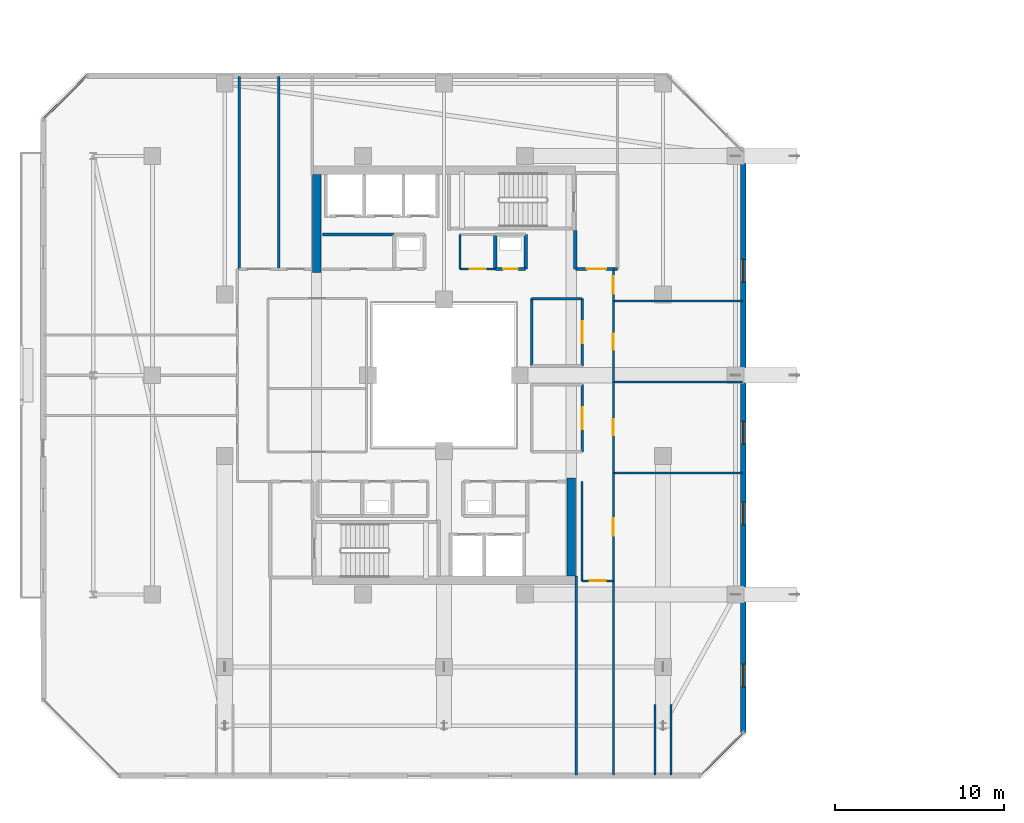
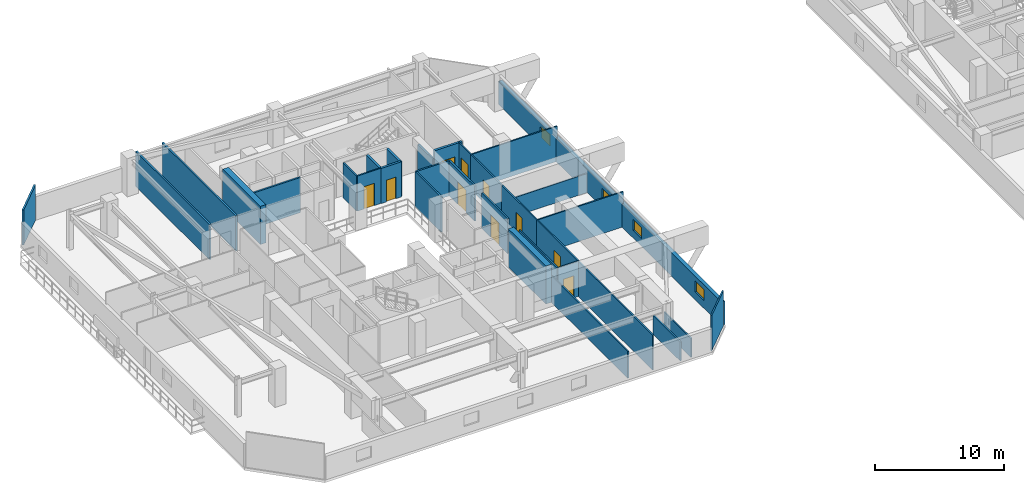
# One storey, part 22 of 34: 32 walls, 10 doors, 4 windows, 14 openings.
"""IFC4 building model written with IfcOpenShell, lengths in metres."""

from ifc_helpers import new_model, si_unit, direction, frame, frame_2d, origin, place, context, subcontext, project, spatial, rectangle, extrude, material, layer, layer_set, type_object, element, fill, save


model = new_model("IFC4")

# Units and contexts
model_context = context("Model", 3, precision=1e-05, world=origin(), true_north=direction((0.0, 1.0)))
body_context = subcontext(model_context, "Body", "Model", "MODEL_VIEW")
ifc_project = project(units=[si_unit("LENGTHUNIT", "METRE"), si_unit("AREAUNIT", "SQUARE_METRE"), si_unit("VOLUMEUNIT", "CUBIC_METRE"), si_unit("PLANEANGLEUNIT", "RADIAN"), si_unit("MASSUNIT", "GRAM", prefix="KILO")], contexts=[model_context])

# Site, building, storey
site_placement = place(None, origin())
site = spatial("IfcSite", under=ifc_project, at=site_placement, CompositionType="ELEMENT")
building_placement = place(site_placement, origin())
building = spatial("IfcBuilding", under=site, at=building_placement, Name="Thornwick Lancets Civic Towers", CompositionType="ELEMENT")
storey_placement = place(building_placement, frame((0.0, 0.0, 251.10009765625)))
storey = spatial("IfcBuildingStorey", under=building, at=storey_placement, Name="L67", CompositionType="ELEMENT", Elevation=251.10009765625)

# Wall, opening, door
ifc_material_1 = material(Name="Concrete blockwork C40/50", Category="masonry")
ifc_layer_1 = layer(ifc_material_1, 0.199951171875, Name="Concrete blockwork C40/50")
ifc_layer_set_1 = layer_set([ifc_layer_1], Name="Concrete blockwork C40/50")
wall_type_1 = type_object("IfcWallType", Name="WALL_COMP_200", PredefinedType="STANDARD", material=ifc_layer_set_1)
wall_1_placement = place(storey_placement, frame((33.300048828125, 33.300048828125, 0.0), z_axis=(0.0, 0.0, 1.0), x_axis=(1.0, 0.0, 0.0)))
wall_1 = element("IfcWall", 1, at=wall_1_placement, inside=storey, type_object=wall_type_1, Name="L67 Partition L67-A-FFLOB2 E1", PredefinedType="STANDARD", context=body_context, shape_type="SweptSolid", body=[
    extrude(rectangle(XDim=2.5, YDim=0.199951171875, at=frame_2d((1.25, 0.0))), origin(), (0.0, 0.0, 1.0), 3.31982421875),
])
opening_1_placement = place(wall_1_placement, frame((0.675048828125, 0.0, 0.0)))
opening_1 = element("IfcOpeningElement", 2, at=opening_1_placement, cuts=wall_1, Name="Opening D-L67-3034", PredefinedType="OPENING", context=body_context, shape_type="SweptSolid", body=[
    extrude(rectangle(XDim=1.14990234375, YDim=2.10009765625, at=frame_2d((0.574951171875, 1.050048828125))), frame((0.0, 0.10986328125, 0.0), z_axis=(0.0, -1.0, 0.0), x_axis=(1.0, 0.0, 0.0)), (0.0, 0.0, 1.0), 0.219970703125),
])
ifc_material_2 = material(Name="Glazed fire-resisting steel", Category="steel")
door_type_1 = type_object("IfcDoorType", Name="DOOR_LOBBY_FD60", OperationType="NOTDEFINED", PredefinedType="DOOR", material=ifc_material_2)
door_1_placement = place(opening_1_placement, origin())
door_1 = element("IfcDoor", 3, at=door_1_placement, inside=storey, type_object=door_type_1, Name="L67 North Firefighting Lobby 2 Door", OperationType="SINGLE_SWING_LEFT", OverallHeight=2.10009765625, OverallWidth=1.14990234375, PredefinedType="DOOR", context=body_context, shape_type="SweptSolid", body=[
    extrude(rectangle(XDim=1.14990234375, YDim=2.10009765625, at=frame_2d((0.574951171875, 1.050048828125))), frame((0.0, 0.02490234375, 0.0), z_axis=(0.0, -1.0, 0.0), x_axis=(1.0, 0.0, 0.0)), (0.0, 0.0, 1.0), 0.050048828125),
])
fill(opening_1, door_1)

# Wall
wall_2_placement = place(storey_placement, frame((33.300048828125, 35.60009765625, 0.0), z_axis=(0.0, 0.0, 1.0), x_axis=(0.0, -1.0, 0.0)))
element("IfcWall", 4, at=wall_2_placement, inside=storey, type_object=wall_type_1, Name="L67 Partition L67-A-FFLOB2 E4", PredefinedType="STANDARD", context=body_context, shape_type="SweptSolid", body=[
    extrude(rectangle(XDim=2.300048828125, YDim=0.199951171875, at=frame_2d((1.14990234375, 0.0))), origin(), (0.0, 0.0, 1.0), 2.52490234375),
])

# Wall, opening, door
wall_3_placement = place(storey_placement, frame((28.550048828125, 33.300048828125, 0.0), z_axis=(0.0, 0.0, 1.0), x_axis=(1.0, 0.0, 0.0)))
wall_3 = element("IfcWall", 5, at=wall_3_placement, inside=storey, type_object=wall_type_1, Name="L67 Partition L67-A-RISER2 E1", PredefinedType="STANDARD", context=body_context, shape_type="SweptSolid", body=[
    extrude(rectangle(XDim=1.800048828125, YDim=0.199951171875, at=frame_2d((0.89990234375, 0.0))), origin(), (0.0, 0.0, 1.0), 3.31982421875),
])
opening_2_placement = place(wall_3_placement, frame((0.4599609375, 0.0, 0.0)))
opening_2 = element("IfcOpeningElement", 6, at=opening_2_placement, cuts=wall_3, Name="Opening D-L67-3038", PredefinedType="OPENING", context=body_context, shape_type="SweptSolid", body=[
    extrude(rectangle(XDim=0.8798828125, YDim=2.0400390625, at=frame_2d((0.43994140625, 1.02001953125))), frame((0.0, 0.10986328125, 0.0), z_axis=(0.0, -1.0, 0.0), x_axis=(1.0, 0.0, 0.0)), (0.0, 0.0, 1.0), 0.219970703125),
])
ifc_material_3 = material(Name="Steel riser access doorset", Category="steel")
door_type_2 = type_object("IfcDoorType", Name="DOOR_RISER_850", OperationType="NOTDEFINED", PredefinedType="DOOR", material=ifc_material_3)
door_2_placement = place(opening_2_placement, origin())
door_2 = element("IfcDoor", 7, at=door_2_placement, inside=storey, type_object=door_type_2, Name="L67 North Service Riser 2 Door", OperationType="SINGLE_SWING_LEFT", OverallHeight=2.0400390625, OverallWidth=0.8798828125, PredefinedType="DOOR", context=body_context, shape_type="SweptSolid", body=[
    extrude(rectangle(XDim=0.8798828125, YDim=2.0400390625, at=frame_2d((0.43994140625, 1.02001953125))), frame((0.0, 0.02490234375, 0.0), z_axis=(0.0, -1.0, 0.0), x_axis=(1.0, 0.0, 0.0)), (0.0, 0.0, 1.0), 0.050048828125),
])
fill(opening_2, door_2)

# Walls
for number, where, z_axis, x_axis, name in (
    (8, (30.35009765625, 33.300048828125, 0.0), (0.0, 0.0, 1.0), (0.0, 1.0, 0.0), "L67 Partition L67-A-RISER2 E2"),
    (9, (28.550048828125, 35.35009765625, 0.0), (0.0, 0.0, 1.0), (0.0, -1.0, 0.0), "L67 Partition L67-A-RISER2 E4"),
):
    element("IfcWall", number, at=place(storey_placement, frame(where, z_axis=z_axis, x_axis=x_axis)), inside=storey, type_object=wall_type_1, Name=name, PredefinedType="STANDARD", context=body_context, shape_type="SweptSolid", body=[
        extrude(rectangle(XDim=2.050048828125, YDim=0.199951171875, at=frame_2d((1.02490234375, 0.0))), origin(), (0.0, 0.0, 1.0), 3.31982421875),
    ])
ifc_material_4 = material(Name="Concrete C50/60", Category="concrete")
ifc_layer_2 = layer(ifc_material_4, 0.5, Name="Concrete C50/60")
ifc_layer_set_2 = layer_set([ifc_layer_2], Name="Concrete C50/60")
wall_type_2 = type_object("IfcWallType", Name="WALL_CORE_500", PredefinedType="SHEAR", material=ifc_layer_set_2)
for number, where, z_axis, x_axis, name in (
    (10, (33.050048828125, 15.10009765625, 0.0), (0.0, 0.0, 1.0), (0.0, 1.0, 0.0), "L67 Split Core A1 Shear Wall E"),
    (11, (17.949951171875, 33.10009765625, 0.0), (0.0, 0.0, 1.0), (0.0, 1.0, 0.0), "L67 Split Core A2 Shear Wall W"),
):
    element("IfcWall", number, at=place(storey_placement, frame(where, z_axis=z_axis, x_axis=x_axis)), inside=storey, type_object=wall_type_2, Name=name, PredefinedType="SHEAR", context=body_context, shape_type="SweptSolid", body=[
        extrude(rectangle(XDim=5.7998046875, YDim=0.5, at=frame_2d((2.89990234375, 0.0))), origin(), (0.0, 0.0, 1.0), 3.599853515625),
    ])

# Wall, openings, windows
ifc_material_5 = material(Name="Insulated buff terracotta rainscreen on concrete C40/50", Category="masonry")
ifc_layer_3 = layer(ifc_material_5, 0.320068359375, Name="Insulated buff terracotta rainscreen on concrete C40/50")
ifc_layer_set_3 = layer_set([ifc_layer_3], Name="Insulated buff terracotta rainscreen on concrete C40/50")
wall_type_3 = type_object("IfcWallType", Name="WALL_EXT_TERRA_320", PredefinedType="STANDARD", material=ifc_layer_set_3)
wall_4_placement = place(storey_placement, frame((43.2646484375, 5.818603515625, 0.0), z_axis=(0.0, 0.0, 1.0), x_axis=(-0.000184351399, 0.999999983007, 0.0)))
wall_4 = element("IfcWall", 12, at=wall_4_placement, inside=storey, type_object=wall_type_3, Name="L67 Tower A Terracotta Facade Wall E2", PredefinedType="STANDARD", context=body_context, shape_type="SweptSolid", body=[
    extrude(rectangle(XDim=34.432373046875, YDim=0.320068359375, at=frame_2d((17.21630859375, 0.0))), origin(), (0.0, 0.0, 1.0), 2.219970703125),
])
opening_3_placement = place(wall_4_placement, frame((2.699951171875, 0.0, 0.719970703125)))
opening_3 = element("IfcOpeningElement", 13, at=opening_3_placement, cuts=wall_4, Name="Opening WL-03", PredefinedType="OPENING", context=body_context, shape_type="SweptSolid", body=[
    extrude(rectangle(XDim=1.35009765625, YDim=1.050048828125, at=frame_2d((0.675048828125, 0.52490234375))), frame((0.0, 0.169921875, 0.0), z_axis=(0.0, -1.0, 0.0), x_axis=(1.0, 0.0, 0.0)), (0.0, 0.0, 1.0), 0.340087890625),
])
opening_4_placement = place(wall_4_placement, frame((12.300048828125, 0.0, 0.719970703125)))
opening_4 = element("IfcOpeningElement", 14, at=opening_4_placement, cuts=wall_4, Name="Opening WL-03", PredefinedType="OPENING", context=body_context, shape_type="SweptSolid", body=[
    extrude(rectangle(XDim=1.35009765625, YDim=1.050048828125, at=frame_2d((0.675048828125, 0.52490234375))), frame((0.0, 0.169921875, 0.0), z_axis=(0.0, -1.0, 0.0), x_axis=(1.0, 0.0, 0.0)), (0.0, 0.0, 1.0), 0.340087890625),
])
opening_5_placement = place(wall_4_placement, frame((17.10009765625, 0.0, 0.719970703125)))
opening_5 = element("IfcOpeningElement", 15, at=opening_5_placement, cuts=wall_4, Name="Opening WL-03", PredefinedType="OPENING", context=body_context, shape_type="SweptSolid", body=[
    extrude(rectangle(XDim=1.35009765625, YDim=1.050048828125, at=frame_2d((0.675048828125, 0.52490234375))), frame((0.0, 0.169921875, 0.0), z_axis=(0.0, -1.0, 0.0), x_axis=(1.0, 0.0, 0.0)), (0.0, 0.0, 1.0), 0.340087890625),
])
opening_6_placement = place(wall_4_placement, frame((26.699951171875, 0.0, 0.719970703125)))
opening_6 = element("IfcOpeningElement", 16, at=opening_6_placement, cuts=wall_4, Name="Opening WL-03", PredefinedType="OPENING", context=body_context, shape_type="SweptSolid", body=[
    extrude(rectangle(XDim=1.35009765625, YDim=1.050048828125, at=frame_2d((0.675048828125, 0.52490234375))), frame((0.0, 0.169921875, 0.0), z_axis=(0.0, -1.0, 0.0), x_axis=(1.0, 0.0, 0.0)), (0.0, 0.0, 1.0), 0.340087890625),
])
ifc_material_6 = material(Name="Clear low-e double glazing clerestory lancet", Category="glass")
window_type = type_object("IfcWindowType", Name="WIN_LANCET_1350", PartitioningType="SINGLE_PANEL", PredefinedType="WINDOW", material=ifc_material_6)
window_1_placement = place(opening_3_placement, origin())
window_1 = element("IfcWindow", 17, at=window_1_placement, inside=storey, type_object=window_type, Name="L67 Tower A Staggered Lancet Window E2-1", OverallHeight=1.050048828125, OverallWidth=1.35009765625, PartitioningType="SINGLE_PANEL", PredefinedType="WINDOW", context=body_context, shape_type="SweptSolid", body=[
    extrude(rectangle(XDim=1.35009765625, YDim=1.050048828125, at=frame_2d((0.675048828125, 0.52490234375))), frame((0.0, 0.030029296875, 0.0), z_axis=(0.0, -1.0, 0.0), x_axis=(1.0, 0.0, 0.0)), (0.0, 0.0, 1.0), 0.06005859375),
])
fill(opening_3, window_1)
window_2_placement = place(opening_4_placement, origin())
window_2 = element("IfcWindow", 18, at=window_2_placement, inside=storey, type_object=window_type, Name="L67 Tower A Staggered Lancet Window E2-2", OverallHeight=1.050048828125, OverallWidth=1.35009765625, PartitioningType="SINGLE_PANEL", PredefinedType="WINDOW", context=body_context, shape_type="SweptSolid", body=[
    extrude(rectangle(XDim=1.35009765625, YDim=1.050048828125, at=frame_2d((0.675048828125, 0.52490234375))), frame((0.0, 0.030029296875, 0.0), z_axis=(0.0, -1.0, 0.0), x_axis=(1.0, 0.0, 0.0)), (0.0, 0.0, 1.0), 0.06005859375),
])
fill(opening_4, window_2)
window_3_placement = place(opening_5_placement, origin())
window_3 = element("IfcWindow", 19, at=window_3_placement, inside=storey, type_object=window_type, Name="L67 Tower A Staggered Lancet Window E2-3", OverallHeight=1.050048828125, OverallWidth=1.35009765625, PartitioningType="SINGLE_PANEL", PredefinedType="WINDOW", context=body_context, shape_type="SweptSolid", body=[
    extrude(rectangle(XDim=1.35009765625, YDim=1.050048828125, at=frame_2d((0.675048828125, 0.52490234375))), frame((0.0, 0.030029296875, 0.0), z_axis=(0.0, -1.0, 0.0), x_axis=(1.0, 0.0, 0.0)), (0.0, 0.0, 1.0), 0.06005859375),
])
fill(opening_5, window_3)
window_4_placement = place(opening_6_placement, origin())
window_4 = element("IfcWindow", 20, at=window_4_placement, inside=storey, type_object=window_type, Name="L67 Tower A Staggered Lancet Window E2-4", OverallHeight=1.050048828125, OverallWidth=1.35009765625, PartitioningType="SINGLE_PANEL", PredefinedType="WINDOW", context=body_context, shape_type="SweptSolid", body=[
    extrude(rectangle(XDim=1.35009765625, YDim=1.050048828125, at=frame_2d((0.675048828125, 0.52490234375))), frame((0.0, 0.030029296875, 0.0), z_axis=(0.0, -1.0, 0.0), x_axis=(1.0, 0.0, 0.0)), (0.0, 0.0, 1.0), 0.06005859375),
])
fill(opening_6, window_4)

# Wall
ifc_material_7 = material(Name="Acoustic gypsum board partition")
ifc_layer_4 = layer(ifc_material_7, 0.1201171875, Name="Acoustic gypsum board partition")
ifc_layer_set_4 = layer_set([ifc_layer_4], Name="Acoustic gypsum board partition")
wall_type_4 = type_object("IfcWallType", Name="WALL_PART_120", PredefinedType="PARTITIONING", material=ifc_layer_set_4)
wall_5_placement = place(storey_placement, frame((26.449951171875, 33.300048828125, 0.0), z_axis=(0.0, 0.0, 1.0), x_axis=(0.0, 1.0, 0.0)))
element("IfcWall", 21, at=wall_5_placement, inside=storey, type_object=wall_type_4, Name="L67 Partition L67-A-ITR E1", PredefinedType="PARTITIONING", context=body_context, shape_type="SweptSolid", body=[
    extrude(rectangle(XDim=2.050048828125, YDim=0.1201171875, at=frame_2d((1.02490234375, 0.0))), origin(), (0.0, 0.0, 1.0), 3.31982421875),
])

# Wall, opening, door
wall_6_placement = place(storey_placement, frame((28.550048828125, 33.300048828125, 0.0), z_axis=(0.0, 0.0, 1.0), x_axis=(-1.0, 0.0, 0.0)))
wall_6 = element("IfcWall", 22, at=wall_6_placement, inside=storey, type_object=wall_type_4, Name="L67 Partition L67-A-ITR E4", PredefinedType="PARTITIONING", context=body_context, shape_type="SweptSolid", body=[
    extrude(rectangle(XDim=2.10009765625, YDim=0.1201171875, at=frame_2d((1.050048828125, 0.0))), origin(), (0.0, 0.0, 1.0), 3.31982421875),
])
opening_7_placement = place(wall_6_placement, frame((0.574951171875, 0.0, 0.0)))
opening_7 = element("IfcOpeningElement", 23, at=opening_7_placement, cuts=wall_6, Name="Opening D-L67-3044", PredefinedType="OPENING", context=body_context, shape_type="SweptSolid", body=[
    extrude(rectangle(XDim=0.949951171875, YDim=2.10009765625, at=frame_2d((0.47509765625, 1.050048828125))), frame((0.0, 0.070068359375, 0.0), z_axis=(0.0, -1.0, 0.0), x_axis=(1.0, 0.0, 0.0)), (0.0, 0.0, 1.0), 0.14013671875),
])
ifc_material_8 = material(Name="European oak acoustic doorset")
door_type_3 = type_object("IfcDoorType", Name="DOOR_OFFICE_950", OperationType="NOTDEFINED", PredefinedType="DOOR", material=ifc_material_8)
door_3_placement = place(opening_7_placement, origin())
door_3 = element("IfcDoor", 24, at=door_3_placement, inside=storey, type_object=door_type_3, Name="L67 Tower A Comms Patch Room Door", OperationType="SINGLE_SWING_LEFT", OverallHeight=2.10009765625, OverallWidth=0.949951171875, PredefinedType="DOOR", context=body_context, shape_type="SweptSolid", body=[
    extrude(rectangle(XDim=0.949951171875, YDim=2.10009765625, at=frame_2d((0.47509765625, 1.050048828125))), frame((0.0, 0.02490234375, 0.0), z_axis=(0.0, -1.0, 0.0), x_axis=(1.0, 0.0, 0.0)), (0.0, 0.0, 1.0), 0.050048828125),
])
fill(opening_7, door_3)

# Wall
wall_7_placement = place(storey_placement, frame((33.699951171875, 20.699951171875, 0.0), z_axis=(0.0, 0.0, 1.0), x_axis=(0.0, -1.0, 0.0)))
element("IfcWall", 25, at=wall_7_placement, inside=storey, type_object=wall_type_4, Name="L67 Partition L67-A-RECLAIM-L E1", PredefinedType="PARTITIONING", context=body_context, shape_type="SweptSolid", body=[
    extrude(rectangle(XDim=5.89990234375, YDim=0.1201171875, at=frame_2d((2.949951171875, 0.0))), origin(), (0.0, 0.0, 1.0), 3.31982421875),
])

# Wall, opening, door
wall_8_placement = place(storey_placement, frame((33.699951171875, 14.800048828125, 0.0), z_axis=(0.0, 0.0, 1.0), x_axis=(1.0, 0.0, 0.0)))
wall_8 = element("IfcWall", 26, at=wall_8_placement, inside=storey, type_object=wall_type_4, Name="L67 Partition L67-A-RECLAIM-L E2", PredefinedType="PARTITIONING", context=body_context, shape_type="SweptSolid", body=[
    extrude(rectangle(XDim=1.85009765625, YDim=0.1201171875, at=frame_2d((0.925048828125, 0.0))), origin(), (0.0, 0.0, 1.0), 3.31982421875),
])
opening_8_placement = place(wall_8_placement, frame((0.449951171875, 0.0, 0.0)))
opening_8 = element("IfcOpeningElement", 27, at=opening_8_placement, cuts=wall_8, Name="Opening D-L67-3057", PredefinedType="OPENING", context=body_context, shape_type="SweptSolid", body=[
    extrude(rectangle(XDim=0.949951171875, YDim=2.10009765625, at=frame_2d((0.47509765625, 1.050048828125))), frame((0.0, 0.070068359375, 0.0), z_axis=(0.0, -1.0, 0.0), x_axis=(1.0, 0.0, 0.0)), (0.0, 0.0, 1.0), 0.14013671875),
])
door_4_placement = place(opening_8_placement, origin())
door_4 = element("IfcDoor", 28, at=door_4_placement, inside=storey, type_object=door_type_3, Name="L67 Tower A Parliamentary Drafting Library Door", OperationType="SINGLE_SWING_RIGHT", OverallHeight=2.10009765625, OverallWidth=0.949951171875, PredefinedType="DOOR", context=body_context, shape_type="SweptSolid", body=[
    extrude(rectangle(XDim=0.949951171875, YDim=2.10009765625, at=frame_2d((0.47509765625, 1.050048828125))), frame((0.0, 0.02490234375, 0.0), z_axis=(0.0, -1.0, 0.0), x_axis=(1.0, 0.0, 0.0)), (0.0, 0.0, 1.0), 0.050048828125),
])
fill(opening_8, door_4)

# Walls
wall_9_placement = place(storey_placement, frame((35.550048828125, 14.800048828125, 0.0), z_axis=(0.0, 0.0, 1.0), x_axis=(0.0, -1.0, 0.0)))
element("IfcWall", 29, at=wall_9_placement, inside=storey, type_object=wall_type_4, Name="L67 Partition L67-A-RECLAIM-L E3", PredefinedType="PARTITIONING", context=body_context, shape_type="SweptSolid", body=[
    extrude(rectangle(XDim=11.52001953125, YDim=0.1201171875, at=frame_2d((5.760009765625, 0.0))), origin(), (0.0, 0.0, 1.0), 3.31982421875),
])
wall_10_placement = place(storey_placement, frame((33.35009765625, 3.280029296875, 0.0), z_axis=(0.0, 0.0, 1.0), x_axis=(0.0, 1.0, 0.0)))
element("IfcWall", 30, at=wall_10_placement, inside=storey, type_object=wall_type_4, Name="L67 Partition L67-A-RECLAIM-L E5", PredefinedType="PARTITIONING", context=body_context, shape_type="SweptSolid", body=[
    extrude(rectangle(XDim=11.820068359375, YDim=0.1201171875, at=frame_2d((5.91015625, 0.0))), origin(), (0.0, 0.0, 1.0), 2.52490234375),
])
for number, where, z_axis, x_axis, name in (
    (31, (38.97998046875, 3.280029296875, 0.0), (0.0, 0.0, 1.0), (0.0, 1.0, 0.0), "L67 Partition L67-A-E1 E2"),
    (32, (38.02001953125, 7.4580078125, 0.0), (0.0, 0.0, 1.0), (0.0, -1.0, 0.0), "L67 Partition L67-A-E1 E4"),
):
    element("IfcWall", number, at=place(storey_placement, frame(where, z_axis=z_axis, x_axis=x_axis)), inside=storey, type_object=wall_type_4, Name=name, PredefinedType="PARTITIONING", context=body_context, shape_type="SweptSolid", body=[
        extrude(rectangle(XDim=4.177978515625, YDim=0.1201171875, at=frame_2d((2.0888671875, 0.0))), origin(), (0.0, 0.0, 1.0), 1.784912109375),
    ])

# Wall, opening, door
wall_11_placement = place(storey_placement, frame((35.550048828125, 14.800048828125, 0.0), z_axis=(0.0, 0.0, 1.0), x_axis=(0.0, 1.0, 0.0)))
wall_11 = element("IfcWall", 33, at=wall_11_placement, inside=storey, type_object=wall_type_4, Name="L67 Partition L67-A-E1 E7", PredefinedType="PARTITIONING", context=body_context, shape_type="SweptSolid", body=[
    extrude(rectangle(XDim=6.39990234375, YDim=0.1201171875, at=frame_2d((3.199951171875, 0.0))), origin(), (0.0, 0.0, 1.0), 3.31982421875),
])
opening_9_placement = place(wall_11_placement, frame((2.675048828125, 0.0, 0.0)))
opening_9 = element("IfcOpeningElement", 34, at=opening_9_placement, cuts=wall_11, Name="Opening D-L67-3066", PredefinedType="OPENING", context=body_context, shape_type="SweptSolid", body=[
    extrude(rectangle(XDim=1.050048828125, YDim=2.10009765625, at=frame_2d((0.52490234375, 1.050048828125))), frame((0.0, 0.070068359375, 0.0), z_axis=(0.0, -1.0, 0.0), x_axis=(1.0, 0.0, 0.0)), (0.0, 0.0, 1.0), 0.14013671875),
])
ifc_material_9 = material(Name="Glazed European oak executive doorset")
door_type_4 = type_object("IfcDoorType", Name="DOOR_OFFICE_1050", OperationType="NOTDEFINED", PredefinedType="DOOR", material=ifc_material_9)
door_5_placement = place(opening_9_placement, origin())
door_5 = element("IfcDoor", 35, at=door_5_placement, inside=storey, type_object=door_type_4, Name="L67 Tower A Secretariat Open Office E1 Door", OperationType="SINGLE_SWING_LEFT", OverallHeight=2.10009765625, OverallWidth=1.050048828125, PredefinedType="DOOR", context=body_context, shape_type="SweptSolid", body=[
    extrude(rectangle(XDim=1.050048828125, YDim=2.10009765625, at=frame_2d((0.52490234375, 1.050048828125))), frame((0.0, 0.02490234375, 0.0), z_axis=(0.0, -1.0, 0.0), x_axis=(1.0, 0.0, 0.0)), (0.0, 0.0, 1.0), 0.050048828125),
])
fill(opening_9, door_5)

# Walls
wall_12_placement = place(storey_placement, frame((35.550048828125, 21.199951171875, 0.0), z_axis=(0.0, 0.0, 1.0), x_axis=(1.0, 0.0, 0.0)))
element("IfcWall", 36, at=wall_12_placement, inside=storey, type_object=wall_type_4, Name="L67 Partition L67-A-E1 E8", PredefinedType="PARTITIONING", context=body_context, shape_type="SweptSolid", body=[
    extrude(rectangle(XDim=7.669921875, YDim=0.1201171875, at=frame_2d((3.8349609375, 0.0))), origin(), (0.0, 0.0, 1.0), 3.31982421875),
])
wall_13_placement = place(storey_placement, frame((43.219970703125, 5.774658203125, 0.0), z_axis=(0.0, 0.0, 1.0), x_axis=(-0.707106781187, -0.707106781187, 0.0)))
element("IfcWall", 37, at=wall_13_placement, inside=storey, type_object=wall_type_4, Name="L67 Partition L67-A-E1 E10", PredefinedType="PARTITIONING", context=body_context, shape_type="SweptSolid", body=[
    extrude(rectangle(XDim=3.52783203125, YDim=0.1201171875, at=frame_2d((1.763916015625, 0.0))), origin(), (0.0, 0.0, 1.0), 3.31982421875),
])

# Wall, opening, door
wall_14_placement = place(storey_placement, frame((35.550048828125, 21.199951171875, 0.0), z_axis=(0.0, 0.0, 1.0), x_axis=(0.0, 1.0, 0.0)))
wall_14 = element("IfcWall", 38, at=wall_14_placement, inside=storey, type_object=wall_type_4, Name="L67 Partition L67-A-E2 E1", PredefinedType="PARTITIONING", context=body_context, shape_type="SweptSolid", body=[
    extrude(rectangle(XDim=5.400146484375, YDim=0.1201171875, at=frame_2d((2.7001953125, 0.0))), origin(), (0.0, 0.0, 1.0), 3.31982421875),
])
opening_10_placement = place(wall_14_placement, frame((2.22509765625, 0.0, 0.0)))
opening_10 = element("IfcOpeningElement", 39, at=opening_10_placement, cuts=wall_14, Name="Opening D-L67-3067", PredefinedType="OPENING", context=body_context, shape_type="SweptSolid", body=[
    extrude(rectangle(XDim=0.949951171875, YDim=2.10009765625, at=frame_2d((0.47509765625, 1.050048828125))), frame((0.0, 0.070068359375, 0.0), z_axis=(0.0, -1.0, 0.0), x_axis=(1.0, 0.0, 0.0)), (0.0, 0.0, 1.0), 0.14013671875),
])
door_6_placement = place(opening_10_placement, origin())
door_6 = element("IfcDoor", 40, at=door_6_placement, inside=storey, type_object=door_type_3, Name="L67 Tower A Visitors Reception and Waiting Door", OperationType="SINGLE_SWING_RIGHT", OverallHeight=2.10009765625, OverallWidth=0.949951171875, PredefinedType="DOOR", context=body_context, shape_type="SweptSolid", body=[
    extrude(rectangle(XDim=0.949951171875, YDim=2.10009765625, at=frame_2d((0.47509765625, 1.050048828125))), frame((0.0, 0.02490234375, 0.0), z_axis=(0.0, -1.0, 0.0), x_axis=(1.0, 0.0, 0.0)), (0.0, 0.0, 1.0), 0.050048828125),
])
fill(opening_10, door_6)

# Wall
wall_15_placement = place(storey_placement, frame((35.550048828125, 26.60009765625, 0.0), z_axis=(0.0, 0.0, 1.0), x_axis=(1.0, 0.0, 0.0)))
element("IfcWall", 41, at=wall_15_placement, inside=storey, type_object=wall_type_4, Name="L67 Partition L67-A-E2 E2", PredefinedType="PARTITIONING", context=body_context, shape_type="SweptSolid", body=[
    extrude(rectangle(XDim=7.669921875, YDim=0.1201171875, at=frame_2d((3.8349609375, 0.0))), origin(), (0.0, 0.0, 1.0), 1.784912109375),
])

# Wall, opening, door
wall_16_placement = place(storey_placement, frame((35.550048828125, 26.60009765625, 0.0), z_axis=(0.0, 0.0, 1.0), x_axis=(0.0, 1.0, 0.0)))
wall_16 = element("IfcWall", 42, at=wall_16_placement, inside=storey, type_object=wall_type_4, Name="L67 Partition L67-A-E3 E1", PredefinedType="PARTITIONING", context=body_context, shape_type="SweptSolid", body=[
    extrude(rectangle(XDim=4.7998046875, YDim=0.1201171875, at=frame_2d((2.39990234375, 0.0))), origin(), (0.0, 0.0, 1.0), 3.31982421875),
])
opening_11_placement = place(wall_16_placement, frame((1.925048828125, 0.0, 0.0)))
opening_11 = element("IfcOpeningElement", 43, at=opening_11_placement, cuts=wall_16, Name="Opening D-L67-3068", PredefinedType="OPENING", context=body_context, shape_type="SweptSolid", body=[
    extrude(rectangle(XDim=0.949951171875, YDim=2.10009765625, at=frame_2d((0.47509765625, 1.050048828125))), frame((0.0, 0.070068359375, 0.0), z_axis=(0.0, -1.0, 0.0), x_axis=(1.0, 0.0, 0.0)), (0.0, 0.0, 1.0), 0.14013671875),
])
door_7_placement = place(opening_11_placement, origin())
door_7 = element("IfcDoor", 44, at=door_7_placement, inside=storey, type_object=door_type_3, Name="L67 Tower A Civic Seminar Room Door", OperationType="SINGLE_SWING_LEFT", OverallHeight=2.10009765625, OverallWidth=0.949951171875, PredefinedType="DOOR", context=body_context, shape_type="SweptSolid", body=[
    extrude(rectangle(XDim=0.949951171875, YDim=2.10009765625, at=frame_2d((0.47509765625, 1.050048828125))), frame((0.0, 0.02490234375, 0.0), z_axis=(0.0, -1.0, 0.0), x_axis=(1.0, 0.0, 0.0)), (0.0, 0.0, 1.0), 0.050048828125),
])
fill(opening_11, door_7)

# Wall
wall_17_placement = place(storey_placement, frame((35.550048828125, 31.39990234375, 0.0), z_axis=(0.0, 0.0, 1.0), x_axis=(1.0, 0.0, 0.0)))
element("IfcWall", 45, at=wall_17_placement, inside=storey, type_object=wall_type_4, Name="L67 Partition L67-A-E3 E2", PredefinedType="PARTITIONING", context=body_context, shape_type="SweptSolid", body=[
    extrude(rectangle(XDim=7.669921875, YDim=0.1201171875, at=frame_2d((3.8349609375, 0.0))), origin(), (0.0, 0.0, 1.0), 3.31982421875),
])

# Wall, opening, door
wall_18_placement = place(storey_placement, frame((35.550048828125, 31.39990234375, 0.0), z_axis=(0.0, 0.0, 1.0), x_axis=(0.0, 1.0, 0.0)))
wall_18 = element("IfcWall", 46, at=wall_18_placement, inside=storey, type_object=wall_type_4, Name="L67 Partition L67-A-E4 E8", PredefinedType="PARTITIONING", context=body_context, shape_type="SweptSolid", body=[
    extrude(rectangle(XDim=1.900146484375, YDim=0.1201171875, at=frame_2d((0.9501953125, 0.0))), origin(), (0.0, 0.0, 1.0), 3.31982421875),
])
opening_12_placement = place(wall_18_placement, frame((0.425048828125, 0.0, 0.0)))
opening_12 = element("IfcOpeningElement", 47, at=opening_12_placement, cuts=wall_18, Name="Opening D-L67-3069", PredefinedType="OPENING", context=body_context, shape_type="SweptSolid", body=[
    extrude(rectangle(XDim=1.050048828125, YDim=2.10009765625, at=frame_2d((0.52490234375, 1.050048828125))), frame((0.0, 0.070068359375, 0.0), z_axis=(0.0, -1.0, 0.0), x_axis=(1.0, 0.0, 0.0)), (0.0, 0.0, 1.0), 0.14013671875),
])
door_8_placement = place(opening_12_placement, origin())
door_8 = element("IfcDoor", 48, at=door_8_placement, inside=storey, type_object=door_type_4, Name="L67 Tower A Legislative Drafting Suite E4 Door", OperationType="SINGLE_SWING_RIGHT", OverallHeight=2.10009765625, OverallWidth=1.050048828125, PredefinedType="DOOR", context=body_context, shape_type="SweptSolid", body=[
    extrude(rectangle(XDim=1.050048828125, YDim=2.10009765625, at=frame_2d((0.52490234375, 1.050048828125))), frame((0.0, 0.02490234375, 0.0), z_axis=(0.0, -1.0, 0.0), x_axis=(1.0, 0.0, 0.0)), (0.0, 0.0, 1.0), 0.050048828125),
])
fill(opening_12, door_8)

# Walls
ifc_material_10 = material(Name="Twin-stud acoustic gypsum board")
ifc_layer_5 = layer(ifc_material_10, 0.14990234375, Name="Twin-stud acoustic gypsum board")
ifc_layer_set_5 = layer_set([ifc_layer_5], Name="Twin-stud acoustic gypsum board")
wall_type_5 = type_object("IfcWallType", Name="WALL_PART_150", PredefinedType="PARTITIONING", material=ifc_layer_set_5)
wall_19_placement = place(storey_placement, frame((18.300048828125, 35.35009765625, 0.0), z_axis=(0.0, 0.0, 1.0), x_axis=(1.0, 0.0, 0.0)))
element("IfcWall", 49, at=wall_19_placement, inside=storey, type_object=wall_type_5, Name="L67 Partition L67-A-FWC E2", PredefinedType="PARTITIONING", context=body_context, shape_type="SweptSolid", body=[
    extrude(rectangle(XDim=4.25, YDim=0.14990234375, at=frame_2d((2.125, 0.0))), origin(), (0.0, 0.0, 1.0), 3.31982421875),
])
for number, where, z_axis, x_axis, name in (
    (50, (13.35009765625, 33.300048828125, 0.0), (0.0, 0.0, 1.0), (0.0, 1.0, 0.0), "L67 Partition L67-A-RECLAIM-M1 E1"),
    (51, (15.699951171875, 44.719970703125, 0.0), (0.0, 0.0, 1.0), (0.0, -1.0, 0.0), "L67 Partition L67-A-RECLAIM-M1 E3"),
):
    element("IfcWall", number, at=place(storey_placement, frame(where, z_axis=z_axis, x_axis=x_axis)), inside=storey, type_object=wall_type_5, Name=name, PredefinedType="PARTITIONING", context=body_context, shape_type="SweptSolid", body=[
        extrude(rectangle(XDim=11.419921875, YDim=0.14990234375, at=frame_2d((5.7099609375, 0.0))), origin(), (0.0, 0.0, 1.0), 3.31982421875),
    ])
wall_20_placement = place(storey_placement, frame((1.780029296875, 42.225341796875, 0.0), z_axis=(0.0, 0.0, 1.0), x_axis=(0.707106781187, 0.707106781187, 0.0)))
element("IfcWall", 52, at=wall_20_placement, inside=storey, type_object=wall_type_5, Name="L67 Partition L67-A-W2C E2", PredefinedType="PARTITIONING", context=body_context, shape_type="SweptSolid", body=[
    extrude(rectangle(XDim=3.52783203125, YDim=0.14990234375, at=frame_2d((1.763916015625, 0.0))), origin(), (0.0, 0.0, 1.0), 3.31982421875),
])

# Wall, opening, door
wall_21_placement = place(storey_placement, frame((33.699951171875, 26.449951171875, 0.0), z_axis=(0.0, 0.0, 1.0), x_axis=(0.0, -1.0, 0.0)))
wall_21 = element("IfcWall", 53, at=wall_21_placement, inside=storey, type_object=wall_type_5, Name="L67 Partition L67-A-E-ATR-1 E3", PredefinedType="PARTITIONING", context=body_context, shape_type="SweptSolid", body=[
    extrude(rectangle(XDim=4.0, YDim=0.14990234375, at=frame_2d((2.0, 0.0))), origin(), (0.0, 0.0, 1.0), 3.31982421875),
])
opening_13_placement = place(wall_21_placement, frame((1.35009765625, 0.0, 0.0)))
opening_13 = element("IfcOpeningElement", 54, at=opening_13_placement, cuts=wall_21, Name="Opening D-L67-3070", PredefinedType="OPENING", context=body_context, shape_type="SweptSolid", body=[
    extrude(rectangle(XDim=1.300048828125, YDim=2.1201171875, at=frame_2d((0.64990234375, 1.06005859375))), frame((0.0, 0.0849609375, 0.0), z_axis=(0.0, -1.0, 0.0), x_axis=(1.0, 0.0, 0.0)), (0.0, 0.0, 1.0), 0.169921875),
])
ifc_material_11 = material(Name="Acoustic oak leaf-and-a-half doorset")
door_type_5 = type_object("IfcDoorType", Name="DOOR_MEET_1300", OperationType="DOUBLE_DOOR_SINGLE_SWING", PredefinedType="DOOR", material=ifc_material_11)
door_9_placement = place(opening_13_placement, origin())
door_9 = element("IfcDoor", 55, at=door_9_placement, inside=storey, type_object=door_type_5, Name="L67 Tower A Atrium Briefing Room Door", OperationType="DOUBLE_DOOR_SINGLE_SWING", OverallHeight=2.1201171875, OverallWidth=1.300048828125, PredefinedType="DOOR", context=body_context, shape_type="SweptSolid", body=[
    extrude(rectangle(XDim=1.300048828125, YDim=2.1201171875, at=frame_2d((0.64990234375, 1.06005859375))), frame((0.0, 0.02490234375, 0.0), z_axis=(0.0, -1.0, 0.0), x_axis=(1.0, 0.0, 0.0)), (0.0, 0.0, 1.0), 0.050048828125),
])
fill(opening_13, door_9)

# Walls
wall_22_placement = place(storey_placement, frame((30.699951171875, 27.550048828125, 0.0), z_axis=(0.0, 0.0, 1.0), x_axis=(0.0, 1.0, 0.0)))
element("IfcWall", 56, at=wall_22_placement, inside=storey, type_object=wall_type_5, Name="L67 Partition L67-A-E-ATR-2 E1", PredefinedType="PARTITIONING", context=body_context, shape_type="SweptSolid", body=[
    extrude(rectangle(XDim=4.0, YDim=0.14990234375, at=frame_2d((2.0, 0.0))), origin(), (0.0, 0.0, 1.0), 3.31982421875),
])
wall_23_placement = place(storey_placement, frame((30.699951171875, 31.550048828125, 0.0), z_axis=(0.0, 0.0, 1.0), x_axis=(1.0, 0.0, 0.0)))
element("IfcWall", 57, at=wall_23_placement, inside=storey, type_object=wall_type_5, Name="L67 Partition L67-A-E-ATR-2 E2", PredefinedType="PARTITIONING", context=body_context, shape_type="SweptSolid", body=[
    extrude(rectangle(XDim=3.0, YDim=0.14990234375, at=frame_2d((1.5, 0.0))), origin(), (0.0, 0.0, 1.0), 3.31982421875),
])

# Wall, opening, door
wall_24_placement = place(storey_placement, frame((33.699951171875, 31.550048828125, 0.0), z_axis=(0.0, 0.0, 1.0), x_axis=(0.0, -1.0, 0.0)))
wall_24 = element("IfcWall", 58, at=wall_24_placement, inside=storey, type_object=wall_type_5, Name="L67 Partition L67-A-E-ATR-2 E3", PredefinedType="PARTITIONING", context=body_context, shape_type="SweptSolid", body=[
    extrude(rectangle(XDim=4.0, YDim=0.14990234375, at=frame_2d((2.0, 0.0))), origin(), (0.0, 0.0, 1.0), 3.31982421875),
])
opening_14_placement = place(wall_24_placement, frame((1.35009765625, 0.0, 0.0)))
opening_14 = element("IfcOpeningElement", 59, at=opening_14_placement, cuts=wall_24, Name="Opening D-L67-3071", PredefinedType="OPENING", context=body_context, shape_type="SweptSolid", body=[
    extrude(rectangle(XDim=1.300048828125, YDim=2.1201171875, at=frame_2d((0.64990234375, 1.06005859375))), frame((0.0, 0.0849609375, 0.0), z_axis=(0.0, -1.0, 0.0), x_axis=(1.0, 0.0, 0.0)), (0.0, 0.0, 1.0), 0.169921875),
])
door_10_placement = place(opening_14_placement, origin())
door_10 = element("IfcDoor", 60, at=door_10_placement, inside=storey, type_object=door_type_5, Name="L67 Tower A Atrium Consultation Chamber Door", OperationType="DOUBLE_DOOR_SINGLE_SWING", OverallHeight=2.1201171875, OverallWidth=1.300048828125, PredefinedType="DOOR", context=body_context, shape_type="SweptSolid", body=[
    extrude(rectangle(XDim=1.300048828125, YDim=2.1201171875, at=frame_2d((0.64990234375, 1.06005859375))), frame((0.0, 0.02490234375, 0.0), z_axis=(0.0, -1.0, 0.0), x_axis=(1.0, 0.0, 0.0)), (0.0, 0.0, 1.0), 0.050048828125),
])
fill(opening_14, door_10)

save(model, "model.ifc")
